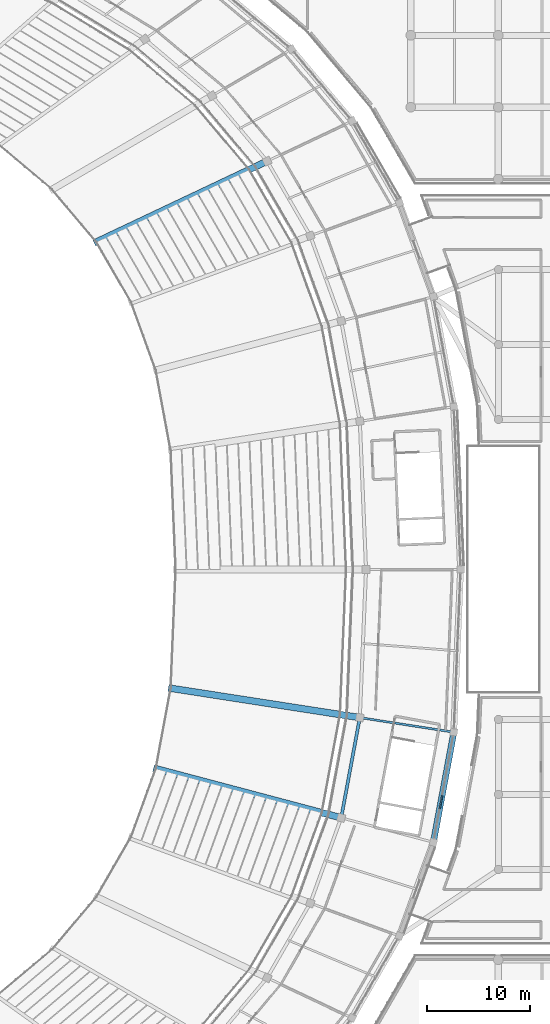
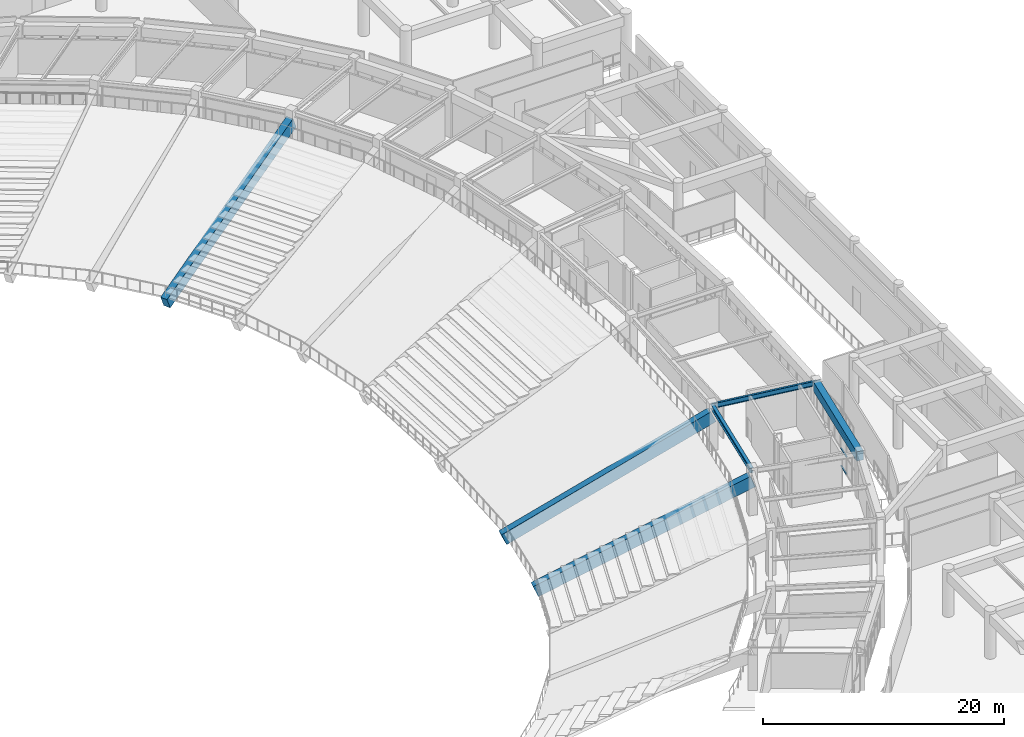
# One storey, part 44 of 137: 6 beams, 3 members, 1 element without a shape of its own.
"""IFC4 building model written with IfcOpenShell, lengths in metres."""

import ifcopenshell
import ifcopenshell.guid

model = None  # the IFC model being written
_history = None  # IfcOwnerHistory: only IFC2X3 demands one
_inside = {}  # id of a spatial element -> (the spatial element, [elements in it])
_under = {}  # id of a project, library or spatial element -> (it, [spatial elements below it])
_declared = {}  # id of a project -> (the project, [libraries it declares])
_typed = {}  # id of a type object -> (the type object, [elements of that type])
_made_of = {}  # id of a material, layer set ... -> (it, [elements and type objects made of it])


def new_model(schema):
    """Start an empty IFC model of exactly this schema.

    Asked for "IFC4X3", IfcOpenShell would pick the latest addendum, in which some entities
    have other attributes; the version numbers below select the first issue.
    IFC2X3 requires an IfcOwnerHistory on every rooted entity: one is made here for all.
    """
    global model, _history
    if schema == "IFC4X3":
        model = ifcopenshell.file(schema_version=(4, 3, 0, 0))
    else:
        model = ifcopenshell.file(schema=schema)
    _inside.clear()
    _under.clear()
    _declared.clear()
    _typed.clear()
    _made_of.clear()
    _history = None
    if model.schema == "IFC2X3":
        org = make("IfcOrganization", Name="unknown")
        user = make(
            "IfcPersonAndOrganization",
            ThePerson=make("IfcPerson", FamilyName="unknown"),
            TheOrganization=org,
        )
        app = make(
            "IfcApplication",
            ApplicationDeveloper=org,
            Version="unknown",
            ApplicationFullName="unknown",
            ApplicationIdentifier="unknown",
        )
        _history = make(
            "IfcOwnerHistory",
            OwningUser=user,
            OwningApplication=app,
            ChangeAction="ADDED",
            CreationDate=0,
        )
    return model


def make(cls, **values):
    """One entity of the class cls with the attributes given. An attribute that is None is left unset."""
    return model.create_entity(
        cls, **{name: value for name, value in values.items() if value is not None}
    )


def rooted(cls, **values):
    """An entity with a GlobalId (a new one), such as an element, a storey or a relation."""
    return make(cls, GlobalId=ifcopenshell.guid.new(), OwnerHistory=_history, **values)


def si_unit(unit_type, name, prefix=None):
    """IfcSIUnit, for example si_unit("LENGTHUNIT", "METRE", prefix="MILLI")."""
    return make("IfcSIUnit", UnitType=unit_type, Prefix=prefix, Name=name)


def assignment(units):
    """IfcUnitAssignment: the units of a project."""
    return None if units is None else make("IfcUnitAssignment", Units=units)


def point(xyz):
    """IfcCartesianPoint."""
    return None if xyz is None else make("IfcCartesianPoint", Coordinates=xyz)


def direction(xyz):
    """IfcDirection."""
    return None if xyz is None else make("IfcDirection", DirectionRatios=xyz)


def frame(location, z_axis=None, x_axis=None):
    """IfcAxis2Placement3D, a coordinate frame: its origin and axes. An axis left out is left unset."""
    return make(
        "IfcAxis2Placement3D",
        Location=point(location),
        Axis=direction(z_axis),
        RefDirection=direction(x_axis),
    )


def frame_2d(location, x_axis=None):
    """IfcAxis2Placement2D, a coordinate frame in the plane: its origin and x axis."""
    return make(
        "IfcAxis2Placement2D", Location=point(location), RefDirection=direction(x_axis)
    )


def origin():
    """The frame at (0, 0, 0) with its axes left unset."""
    return frame((0.0, 0.0, 0.0))


def origin_2d():
    """The frame at (0, 0) in the plane with its x axis left unset."""
    return frame_2d((0.0, 0.0))


def place(relative_to, where):
    """IfcLocalPlacement: puts the frame where relative to a parent placement (None: the world)."""
    return make(
        "IfcLocalPlacement", PlacementRelTo=relative_to, RelativePlacement=where
    )


def context(
    kind, dimensions, precision=None, world=None, true_north=None, identifier=None
):
    """IfcGeometricRepresentationContext, for example the 3D "Model" context."""
    return make(
        "IfcGeometricRepresentationContext",
        ContextIdentifier=identifier,
        ContextType=kind,
        CoordinateSpaceDimension=dimensions,
        Precision=precision,
        WorldCoordinateSystem=world,
        TrueNorth=true_north,
    )


def subcontext(parent, identifier, kind, view, scale=None):
    """IfcGeometricRepresentationSubContext, for example "Body" below "Model"."""
    return make(
        "IfcGeometricRepresentationSubContext",
        ContextIdentifier=identifier,
        ContextType=kind,
        ParentContext=parent,
        TargetScale=scale,
        TargetView=view,
    )


def project(units=None, contexts=None):
    """IfcProject with its units and contexts."""
    return rooted(
        "IfcProject",
        Name="project",
        RepresentationContexts=contexts,
        UnitsInContext=assignment(units),
    )


def spatial(cls, under=None, at=None, **own):
    """A site, building, storey or space (cls), placed at a placement, below another one or the project."""
    s = rooted(cls, ObjectPlacement=at, **own)
    if under is not None:
        _under.setdefault(under.id(), (under, []))[1].append(s)
    return s


def profile(cls, at=None, kind="AREA", **sizes):
    """A parametric profile (cls). Its sizes go by their IFC names, for example OverallWidth=200.0."""
    return make(cls, ProfileType=kind, Position=at, **sizes)


def rectangle(**sizes):
    """IfcRectangleProfileDef."""
    return profile("IfcRectangleProfileDef", **sizes)


def i_section(**sizes):
    """IfcIShapeProfileDef."""
    return profile("IfcIShapeProfileDef", **sizes)


def extrude(swept, where, along, depth):
    """IfcExtrudedAreaSolid: the profile swept, set in the frame where, extruded along a direction by depth."""
    return make(
        "IfcExtrudedAreaSolid",
        SweptArea=swept,
        Position=where,
        ExtrudedDirection=direction(along),
        Depth=depth,
    )


def shape(context_of_items, identifier, shape_type, items):
    """IfcShapeRepresentation: the items that make up one representation, for example the "Body"."""
    return make(
        "IfcShapeRepresentation",
        ContextOfItems=context_of_items,
        RepresentationIdentifier=identifier,
        RepresentationType=shape_type,
        Items=items,
    )


def material(Name=None, Category=None):
    """IfcMaterial."""
    return make("IfcMaterial", Name=Name, Category=Category)


def layer(
    of_material, thickness, ventilated=None, Name=None, Category=None, Priority=None
):
    """IfcMaterialLayer: one layer of a wall or slab, of a material (None: an air gap)."""
    return make(
        "IfcMaterialLayer",
        Material=of_material,
        LayerThickness=thickness,
        IsVentilated=ventilated,
        Name=Name,
        Category=Category,
        Priority=Priority,
    )


def layer_set(layers, Name=None):
    """IfcMaterialLayerSet."""
    return make("IfcMaterialLayerSet", MaterialLayers=layers, LayerSetName=Name)


def material_profile(
    of_material, cross_section, Name=None, Category=None, Priority=None
):
    """IfcMaterialProfile: a cross section and its material."""
    return make(
        "IfcMaterialProfile",
        Name=Name,
        Material=of_material,
        Profile=cross_section,
        Priority=Priority,
        Category=Category,
    )


def profile_set(profiles, Name=None, composite=None):
    """IfcMaterialProfileSet."""
    return make(
        "IfcMaterialProfileSet",
        Name=Name,
        MaterialProfiles=profiles,
        CompositeProfile=composite,
    )


def made_of(thing, what):
    """Note that an element or type object is made of a material, layer set ...; save() writes the relation."""
    if what is not None:
        _made_of.setdefault(what.id(), (what, []))[1].append(thing)
    return thing


def type_object(cls, material=None, **own):
    """A type object (cls), such as IfcWallType, which elements share."""
    return made_of(rooted(cls, **own), material)


def element(
    cls,
    number,
    at=None,
    inside=None,
    cuts=None,
    type_object=None,
    material=None,
    context=None,
    identifier="Body",
    shape_type=None,
    held_by="IfcProductDefinitionShape",
    body=None,
    shapes=None,
    **own,
):
    """One element of the class cls, such as IfcWall. Its Tag is "e" and its number.

    at: its placement. inside: the storey or other place that contains it. cuts: it is an
    opening in that element (IfcRelVoidsElement). A single representation is given by context,
    identifier, shape_type and body (its items); several are given by shapes. held_by: the class
    of the entity that holds the representations. save() writes the other relations.
    """
    e = rooted(cls, Tag="e%d" % number, ObjectPlacement=at, **own)
    if body is not None:
        shapes = [shape(context, identifier, shape_type, body)]
    if shapes is not None:
        e.Representation = make(held_by, Representations=shapes)
    if inside is not None:
        _inside.setdefault(inside.id(), (inside, []))[1].append(e)
    if cuts is not None:
        rooted(
            "IfcRelVoidsElement", RelatingBuildingElement=cuts, RelatedOpeningElement=e
        )
    if type_object is not None:
        _typed.setdefault(type_object.id(), (type_object, []))[1].append(e)
    return made_of(e, material)


def aggregate(whole, parts):
    """IfcRelAggregates: a whole, such as a stair, and the parts it consists of."""
    return rooted("IfcRelAggregates", RelatingObject=whole, RelatedObjects=parts)


def save(model, path):
    """Write the relations noted so far, then the file.

    IfcRelAggregates (storeys below a building ...), IfcRelContainedInSpatialStructure (elements
    in a storey), IfcRelDefinesByType, IfcRelAssociatesMaterial and IfcRelDeclares: one each for
    every whole, place, type object, material and project.
    """
    for whole, parts in _under.values():
        aggregate(whole, parts)
    for where, things in _inside.values():
        rooted(
            "IfcRelContainedInSpatialStructure",
            RelatedElements=things,
            RelatingStructure=where,
        )
    for kind, things in _typed.values():
        rooted("IfcRelDefinesByType", RelatedObjects=things, RelatingType=kind)
    for what, things in _made_of.values():
        rooted("IfcRelAssociatesMaterial", RelatedObjects=things, RelatingMaterial=what)
    for by, libraries in _declared.values():
        rooted("IfcRelDeclares", RelatingContext=by, RelatedDefinitions=libraries)
    model.write(path)


model = new_model("IFC4")

# Units and contexts
model_context = context("Model", 3, precision=1e-05, world=origin(), true_north=direction((0.0, 1.0)))
body_context = subcontext(model_context, "Body", "Model", "MODEL_VIEW")
ifc_project = project(units=[si_unit("LENGTHUNIT", "METRE"), si_unit("AREAUNIT", "SQUARE_METRE"), si_unit("VOLUMEUNIT", "CUBIC_METRE"), si_unit("PLANEANGLEUNIT", "RADIAN"), si_unit("MASSUNIT", "GRAM", prefix="KILO")], contexts=[model_context])

# Site, building, storey
site_placement = place(None, origin())
site = spatial("IfcSite", under=ifc_project, at=site_placement, CompositionType="ELEMENT")
building_placement = place(site_placement, origin())
building = spatial("IfcBuilding", under=site, at=building_placement, Name="Mphavela Belvedere Stadium", CompositionType="ELEMENT")
storey_placement = place(building_placement, frame((0.0, 0.0, 19.199951171875)))
storey = spatial("IfcBuildingStorey", under=building, at=storey_placement, Name="L04", CompositionType="ELEMENT", Elevation=19.199951171875)

# Beams
ifc_material_1 = material(Name="Concrete C40/50", Category="concrete")
ifc_material_profile_1 = material_profile(ifc_material_1, rectangle(XDim=0.60009765625, YDim=0.949951171875, at=origin_2d()), Name="RC 600x950")
ifc_profile_set_1 = profile_set([ifc_material_profile_1], Name="Concrete C40/50")
beam_type_1 = type_object("IfcBeamType", Name="BM-ENTABLATURE-950", PredefinedType="SPANDREL", material=ifc_profile_set_1)
beam_1_placement = place(storey_placement, frame((215.16455078125, 60.4375, 4.074951171875), z_axis=(0.18264260648, 0.983179372393, 0.0), x_axis=(-0.983179372393, 0.18264260648, 0.0)))
element("IfcBeam", 1, at=beam_1_placement, inside=storey, type_object=beam_type_1, Name="Circumferential girder L04 R4-47", PredefinedType="SPANDREL", context=body_context, shape_type="SweptSolid", body=[
    extrude(rectangle(XDim=0.60009765625, YDim=0.949951171875, at=origin_2d()), origin(), (0.0, 0.0, 1.0), 10.90087890625),
])
ifc_material_2 = material(Name="Precast concrete C45/55", Category="concrete")
ifc_material_profile_2 = material_profile(ifc_material_2, rectangle(XDim=0.64990234375, YDim=1.199951171875, at=origin_2d()), Name="PC 650x1200")
ifc_profile_set_2 = profile_set([ifc_material_profile_2], Name="Precast concrete C45/55")
beam_type_2 = type_object("IfcBeamType", Name="BM-RAKER-UPPER", PredefinedType="USERDEFINED", material=ifc_profile_set_2)
beam_2_placement = place(storey_placement, frame((182.3544921875, 118.881103515625, -4.349853515625), z_axis=(0.832914269841, 0.39423956274, 0.388367076701), x_axis=(-0.427821517517, 0.903863235866, 0.0)))
element("IfcBeam", 2, at=beam_2_placement, inside=storey, type_object=beam_type_2, Name="Upper tier precast cantilever raker beam RK-U-05", ObjectType="RAKER BEAM", PredefinedType="USERDEFINED", context=body_context, shape_type="SweptSolid", body=[
    extrude(rectangle(XDim=0.64990234375, YDim=1.199951171875, at=origin_2d()), origin(), (0.0, 0.0, 1.0), 19.955322265625),
])
beam_3_placement = place(storey_placement, frame((188.13916015625, 67.6044921875, -4.349853515625), z_axis=(0.892744637737, -0.236753762179, 0.383346668024), x_axis=(0.256336726267, 0.96658754532, 0.0)))
element("IfcBeam", 3, at=beam_3_placement, inside=storey, type_object=beam_type_2, Name="Upper tier precast cantilever raker beam RK-U-47", ObjectType="RAKER BEAM", PredefinedType="USERDEFINED", context=body_context, shape_type="SweptSolid", body=[
    extrude(rectangle(XDim=0.64990234375, YDim=1.199951171875, at=origin_2d()), origin(), (0.0, 0.0, 1.0), 20.216796875),
])
beam_4_placement = place(storey_placement, frame((189.5927734375, 75.43017578125, -4.349853515625), z_axis=(0.912368182234, -0.141509277986, 0.38413464344), x_axis=(0.153268482759, 0.98818458407, 0.0)))
element("IfcBeam", 4, at=beam_4_placement, inside=storey, type_object=beam_type_2, Name="Upper tier precast cantilever raker beam RK-U-48", ObjectType="RAKER BEAM", PredefinedType="USERDEFINED", context=body_context, shape_type="SweptSolid", body=[
    extrude(rectangle(XDim=0.64990234375, YDim=1.199951171875, at=origin_2d()), origin(), (0.0, 0.0, 1.0), 20.17529296875),
])
ifc_material_3 = material(Name="Steel S355", Category="steel")
ifc_material_profile_3 = material_profile(ifc_material_3, i_section(OverallWidth=0.300048828125, OverallDepth=0.489990234375, WebThickness=0.011962890625, FlangeThickness=0.02294921875, at=origin_2d()), Name="HEA 500")
ifc_profile_set_3 = profile_set([ifc_material_profile_3], Name="Steel S355")
beam_type_3 = type_object("IfcBeamType", Name="BM-STEEL-HEA500", PredefinedType="BEAM", material=ifc_profile_set_3)
beam_5_placement = place(storey_placement, frame((206.1875, 62.818115234375, 4.304931640625), z_axis=(0.182638056683, 0.983180217585, 0.0), x_axis=(-0.983180217585, 0.182638056683, 0.0)))
element("IfcBeam", 5, at=beam_5_placement, inside=storey, type_object=beam_type_3, Name="Circumferential girder L04 R3-47", PredefinedType="BEAM", context=body_context, shape_type="SweptSolid", body=[
    extrude(i_section(OverallWidth=0.300048828125, OverallDepth=0.489990234375, WebThickness=0.011962890625, FlangeThickness=0.02294921875, at=origin_2d()), origin(), (0.0, 0.0, 1.0), 9.924072265625),
])
ifc_material_4 = material(Name="Steel S355", Category="steel")
ifc_material_profile_4 = material_profile(ifc_material_4, i_section(OverallWidth=0.199951171875, OverallDepth=0.5, WebThickness=0.01025390625, FlangeThickness=0.01611328125, at=origin_2d()), Name="IPE 500")
ifc_profile_set_4 = profile_set([ifc_material_profile_4], Name="Steel S355")
beam_type_4 = type_object("IfcBeamType", Name="BM-STEEL-IPE500", PredefinedType="BEAM", material=ifc_profile_set_4)
beam_6_placement = place(storey_placement, frame((208.0, 72.5751953125, 4.300048828125), z_axis=(0.988182369303, -0.153282761586, 0.0), x_axis=(0.153282761586, 0.988182369303, 0.0)))
element("IfcBeam", 6, at=beam_6_placement, inside=storey, type_object=beam_type_4, Name="Radial concourse girder L04 R3R4-48", PredefinedType="BEAM", context=body_context, shape_type="SweptSolid", body=[
    extrude(i_section(OverallWidth=0.199951171875, OverallDepth=0.5, WebThickness=0.01025390625, FlangeThickness=0.01611328125, at=origin_2d()), origin(), (0.0, 0.0, 1.0), 9.264892578125),
])

# Curtain wall, members
ifc_material_5 = material(Name="Anodised bronze unitised curtain wall framing")
ifc_layer = layer(ifc_material_5, 0.18994140625)
ifc_layer_set = layer_set([ifc_layer], Name="Anodised bronze unitised curtain wall framing")
curtain_wall_type = type_object("IfcCurtainWallType", Name="CW-UNIT-03", PredefinedType="USERDEFINED", material=ifc_layer_set)
curtain_wall_placement = place(storey_placement, origin())
curtain_wall = element("IfcCurtainWall", 7, at=curtain_wall_placement, inside=storey, type_object=curtain_wall_type, Name="Belvedere colonnade curtain wall L04-47", ObjectType="UNITISED CURTAIN WALL", PredefinedType="USERDEFINED")
ifc_material_6 = material(Name="Anodised bronze extruded aluminium", Category="aluminium")
ifc_material_profile_5 = material_profile(ifc_material_6, rectangle(XDim=0.139892578125, YDim=0.06005859375, at=origin_2d()), Name="CW-TRN 140x60")
ifc_profile_set_5 = profile_set([ifc_material_profile_5], Name="Anodised bronze extruded aluminium")
member_type = type_object("IfcMemberType", Name="CWT-140x60", PredefinedType="USERDEFINED", material=ifc_profile_set_5)
member_1_placement = place(storey_placement, frame((215.7666015625, 63.67822265625, 0.030029296875), z_axis=(0.1826478673, 0.98317839509, 0.0), x_axis=(-0.98317839509, 0.1826478673, 0.0)))
member_1 = element("IfcMember", 8, at=member_1_placement, type_object=member_type, Name="CW-03 transom 3.1", ObjectType="TRANSOM", PredefinedType="USERDEFINED", context=body_context, shape_type="SweptSolid", body=[
    extrude(rectangle(XDim=0.139892578125, YDim=0.06005859375, at=origin_2d()), origin(), (0.0, 0.0, 1.0), 1.392822265625),
])
member_2_placement = place(storey_placement, frame((215.7666015625, 63.67822265625, 1.78515625), z_axis=(0.1826478673, 0.98317839509, 0.0), x_axis=(-0.98317839509, 0.1826478673, 0.0)))
member_2 = element("IfcMember", 9, at=member_2_placement, type_object=member_type, Name="CW-03 transom 3.2", ObjectType="TRANSOM", PredefinedType="USERDEFINED", context=body_context, shape_type="SweptSolid", body=[
    extrude(rectangle(XDim=0.139892578125, YDim=0.06005859375, at=origin_2d()), origin(), (0.0, 0.0, 1.0), 1.392822265625),
])
member_3_placement = place(storey_placement, frame((215.7666015625, 63.67822265625, 3.5400390625), z_axis=(0.1826478673, 0.98317839509, 0.0), x_axis=(-0.98317839509, 0.1826478673, 0.0)))
member_3 = element("IfcMember", 10, at=member_3_placement, type_object=member_type, Name="CW-03 transom 3.3", ObjectType="TRANSOM", PredefinedType="USERDEFINED", context=body_context, shape_type="SweptSolid", body=[
    extrude(rectangle(XDim=0.139892578125, YDim=0.06005859375, at=origin_2d()), origin(), (0.0, 0.0, 1.0), 1.392822265625),
])
aggregate(curtain_wall, [member_1, member_2, member_3])

save(model, "model.ifc")
